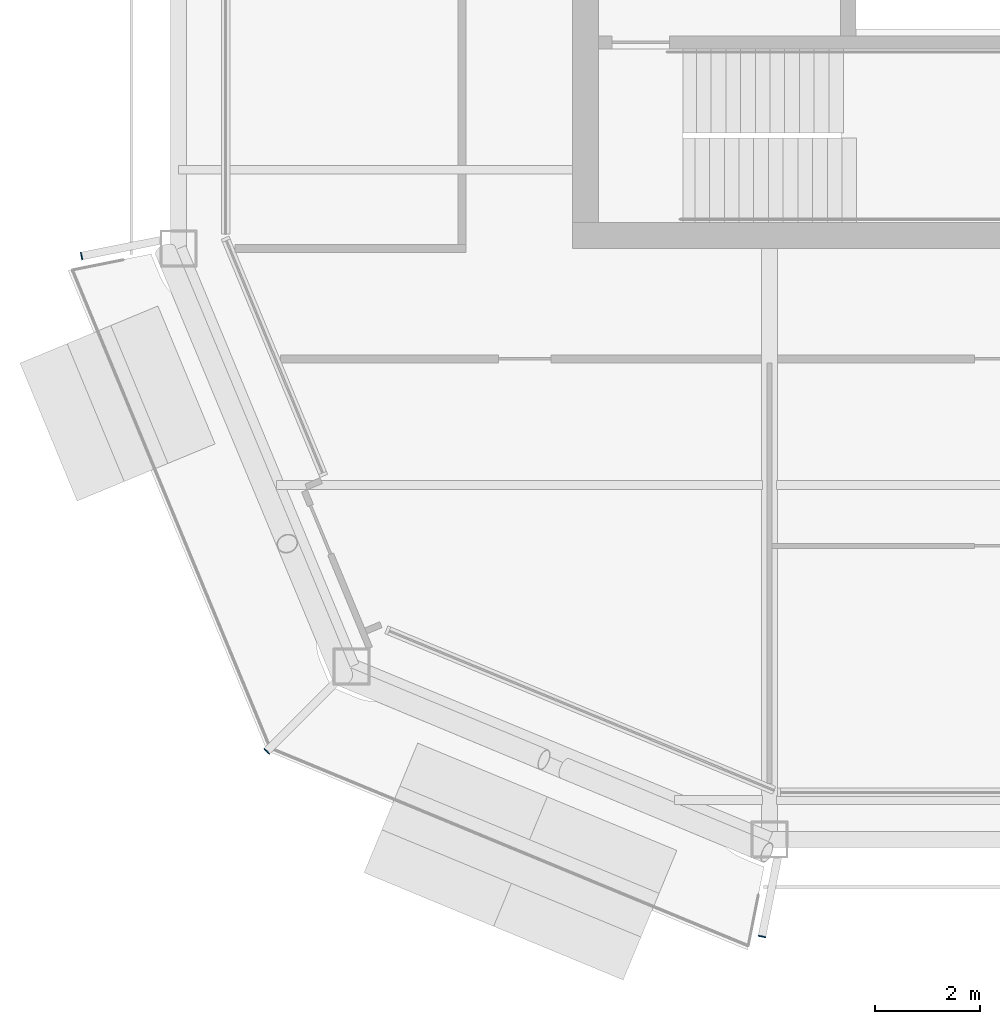
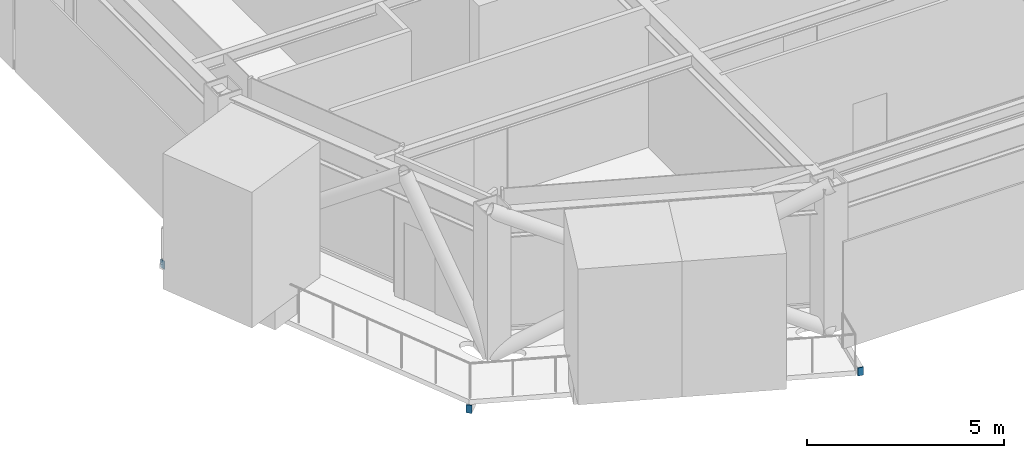
# One storey, part 15 of 21: 3 discrete accessories.
"""IFC4 building model written with IfcOpenShell, lengths in metres."""

from ifc_helpers import new_model, si_unit, direction, frame, origin, origin_2d, place, context, subcontext, project, spatial, rectangle, extrude, material, layer, layer_set, type_object, element, save


model = new_model("IFC4")

# Units and contexts
model_context = context("Model", 3, precision=1e-05, world=origin(), true_north=direction((0.0, 1.0)))
body_context = subcontext(model_context, "Body", "Model", "MODEL_VIEW")
ifc_project = project(units=[si_unit("LENGTHUNIT", "METRE"), si_unit("AREAUNIT", "SQUARE_METRE"), si_unit("VOLUMEUNIT", "CUBIC_METRE"), si_unit("PLANEANGLEUNIT", "RADIAN"), si_unit("MASSUNIT", "GRAM", prefix="KILO")], contexts=[model_context])

# Site, building, storey
site_placement = place(None, origin())
site = spatial("IfcSite", under=ifc_project, at=site_placement, CompositionType="ELEMENT")
building_placement = place(site_placement, origin())
building = spatial("IfcBuilding", under=site, at=building_placement, Name="Siwar Civic Tower", CompositionType="ELEMENT")
storey_placement = place(building_placement, frame((0.0, 0.0, 334.699951171875)))
storey = spatial("IfcBuildingStorey", under=building, at=storey_placement, Name="L72", CompositionType="ELEMENT", Elevation=334.699951171875)

# Discrete accessories
ifc_material = material(Name="Steel S355", Category="steel")
ifc_layer = layer(ifc_material, 0.02001953125)
ifc_layer_set = layer_set([ifc_layer], Name="Steel S355")
discrete_accessory_type = type_object("IfcDiscreteAccessoryType", Name="STR-END-CAP", PredefinedType="USERDEFINED", material=ifc_layer_set)
for number, where, z_axis, x_axis, name in (
    (1, (-26.5947265625, -13.642578125, -0.39990234375), (0.0, 0.0, 1.0), (-0.980785280396, -0.19509032205, 0.0), "End cap plate Balcony cantilever beam SW 1"),
    (2, (-23.0693359375, -23.0693359375, -0.39990234375), (0.0, 0.0, 1.0), (-0.707106781187, -0.707106781187, 0.0), "End cap plate Balcony cantilever beam SW 2"),
    (3, (-13.642578125, -26.5947265625, -0.39990234375), (0.0, 0.0, 1.0), (-0.19509032205, -0.980785280396, 0.0), "End cap plate Balcony cantilever beam SW 3"),
):
    element("IfcDiscreteAccessory", number, at=place(storey_placement, frame(where, z_axis=z_axis, x_axis=x_axis)), inside=storey, type_object=discrete_accessory_type, Name=name, ObjectType="END CAP PLATE", PredefinedType="USERDEFINED", context=body_context, shape_type="SweptSolid", body=[
        extrude(rectangle(XDim=0.02001953125, YDim=0.14990234375, at=origin_2d()), origin(), (0.0, 0.0, 1.0), 0.25),
    ])

save(model, "model.ifc")
